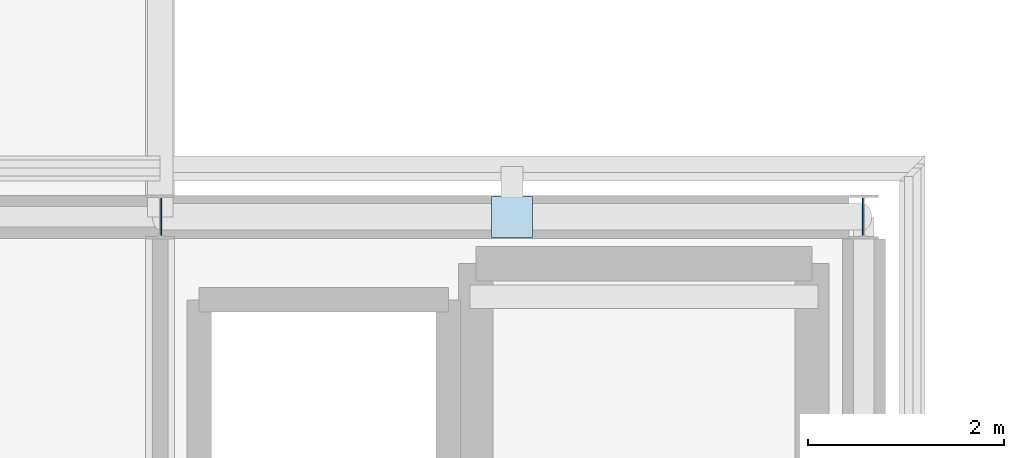
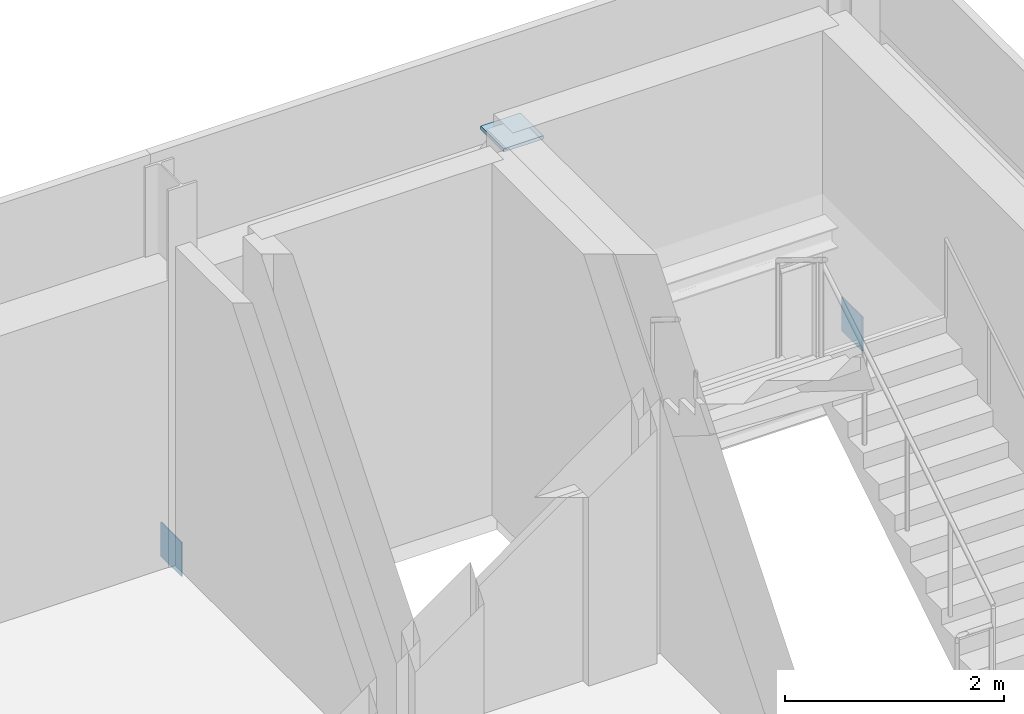
# One storey, part 62 of 115: 3 plates.
"""IFC4 building model written with IfcOpenShell, lengths in metres."""

import ifcopenshell
import ifcopenshell.guid

model = None  # the IFC model being written
_history = None  # IfcOwnerHistory: only IFC2X3 demands one
_inside = {}  # id of a spatial element -> (the spatial element, [elements in it])
_under = {}  # id of a project, library or spatial element -> (it, [spatial elements below it])
_declared = {}  # id of a project -> (the project, [libraries it declares])
_typed = {}  # id of a type object -> (the type object, [elements of that type])
_made_of = {}  # id of a material, layer set ... -> (it, [elements and type objects made of it])


def new_model(schema):
    """Start an empty IFC model of exactly this schema.

    Asked for "IFC4X3", IfcOpenShell would pick the latest addendum, in which some entities
    have other attributes; the version numbers below select the first issue.
    IFC2X3 requires an IfcOwnerHistory on every rooted entity: one is made here for all.
    """
    global model, _history
    if schema == "IFC4X3":
        model = ifcopenshell.file(schema_version=(4, 3, 0, 0))
    else:
        model = ifcopenshell.file(schema=schema)
    _inside.clear()
    _under.clear()
    _declared.clear()
    _typed.clear()
    _made_of.clear()
    _history = None
    if model.schema == "IFC2X3":
        org = make("IfcOrganization", Name="unknown")
        user = make(
            "IfcPersonAndOrganization",
            ThePerson=make("IfcPerson", FamilyName="unknown"),
            TheOrganization=org,
        )
        app = make(
            "IfcApplication",
            ApplicationDeveloper=org,
            Version="unknown",
            ApplicationFullName="unknown",
            ApplicationIdentifier="unknown",
        )
        _history = make(
            "IfcOwnerHistory",
            OwningUser=user,
            OwningApplication=app,
            ChangeAction="ADDED",
            CreationDate=0,
        )
    return model


def make(cls, **values):
    """One entity of the class cls with the attributes given. An attribute that is None is left unset."""
    return model.create_entity(
        cls, **{name: value for name, value in values.items() if value is not None}
    )


def rooted(cls, **values):
    """An entity with a GlobalId (a new one), such as an element, a storey or a relation."""
    return make(cls, GlobalId=ifcopenshell.guid.new(), OwnerHistory=_history, **values)


def si_unit(unit_type, name, prefix=None):
    """IfcSIUnit, for example si_unit("LENGTHUNIT", "METRE", prefix="MILLI")."""
    return make("IfcSIUnit", UnitType=unit_type, Prefix=prefix, Name=name)


def assignment(units):
    """IfcUnitAssignment: the units of a project."""
    return None if units is None else make("IfcUnitAssignment", Units=units)


def point(xyz):
    """IfcCartesianPoint."""
    return None if xyz is None else make("IfcCartesianPoint", Coordinates=xyz)


def direction(xyz):
    """IfcDirection."""
    return None if xyz is None else make("IfcDirection", DirectionRatios=xyz)


def frame(location, z_axis=None, x_axis=None):
    """IfcAxis2Placement3D, a coordinate frame: its origin and axes. An axis left out is left unset."""
    return make(
        "IfcAxis2Placement3D",
        Location=point(location),
        Axis=direction(z_axis),
        RefDirection=direction(x_axis),
    )


def frame_2d(location, x_axis=None):
    """IfcAxis2Placement2D, a coordinate frame in the plane: its origin and x axis."""
    return make(
        "IfcAxis2Placement2D", Location=point(location), RefDirection=direction(x_axis)
    )


def origin():
    """The frame at (0, 0, 0) with its axes left unset."""
    return frame((0.0, 0.0, 0.0))


def origin_2d():
    """The frame at (0, 0) in the plane with its x axis left unset."""
    return frame_2d((0.0, 0.0))


def place(relative_to, where):
    """IfcLocalPlacement: puts the frame where relative to a parent placement (None: the world)."""
    return make(
        "IfcLocalPlacement", PlacementRelTo=relative_to, RelativePlacement=where
    )


def context(
    kind, dimensions, precision=None, world=None, true_north=None, identifier=None
):
    """IfcGeometricRepresentationContext, for example the 3D "Model" context."""
    return make(
        "IfcGeometricRepresentationContext",
        ContextIdentifier=identifier,
        ContextType=kind,
        CoordinateSpaceDimension=dimensions,
        Precision=precision,
        WorldCoordinateSystem=world,
        TrueNorth=true_north,
    )


def subcontext(parent, identifier, kind, view, scale=None):
    """IfcGeometricRepresentationSubContext, for example "Body" below "Model"."""
    return make(
        "IfcGeometricRepresentationSubContext",
        ContextIdentifier=identifier,
        ContextType=kind,
        ParentContext=parent,
        TargetScale=scale,
        TargetView=view,
    )


def project(units=None, contexts=None):
    """IfcProject with its units and contexts."""
    return rooted(
        "IfcProject",
        Name="project",
        RepresentationContexts=contexts,
        UnitsInContext=assignment(units),
    )


def spatial(cls, under=None, at=None, **own):
    """A site, building, storey or space (cls), placed at a placement, below another one or the project."""
    s = rooted(cls, ObjectPlacement=at, **own)
    if under is not None:
        _under.setdefault(under.id(), (under, []))[1].append(s)
    return s


def profile(cls, at=None, kind="AREA", **sizes):
    """A parametric profile (cls). Its sizes go by their IFC names, for example OverallWidth=200.0."""
    return make(cls, ProfileType=kind, Position=at, **sizes)


def rectangle(**sizes):
    """IfcRectangleProfileDef."""
    return profile("IfcRectangleProfileDef", **sizes)


def extrude(swept, where, along, depth):
    """IfcExtrudedAreaSolid: the profile swept, set in the frame where, extruded along a direction by depth."""
    return make(
        "IfcExtrudedAreaSolid",
        SweptArea=swept,
        Position=where,
        ExtrudedDirection=direction(along),
        Depth=depth,
    )


def shape(context_of_items, identifier, shape_type, items):
    """IfcShapeRepresentation: the items that make up one representation, for example the "Body"."""
    return make(
        "IfcShapeRepresentation",
        ContextOfItems=context_of_items,
        RepresentationIdentifier=identifier,
        RepresentationType=shape_type,
        Items=items,
    )


def material(Name=None, Category=None):
    """IfcMaterial."""
    return make("IfcMaterial", Name=Name, Category=Category)


def layer(
    of_material, thickness, ventilated=None, Name=None, Category=None, Priority=None
):
    """IfcMaterialLayer: one layer of a wall or slab, of a material (None: an air gap)."""
    return make(
        "IfcMaterialLayer",
        Material=of_material,
        LayerThickness=thickness,
        IsVentilated=ventilated,
        Name=Name,
        Category=Category,
        Priority=Priority,
    )


def layer_set(layers, Name=None):
    """IfcMaterialLayerSet."""
    return make("IfcMaterialLayerSet", MaterialLayers=layers, LayerSetName=Name)


def made_of(thing, what):
    """Note that an element or type object is made of a material, layer set ...; save() writes the relation."""
    if what is not None:
        _made_of.setdefault(what.id(), (what, []))[1].append(thing)
    return thing


def type_object(cls, material=None, **own):
    """A type object (cls), such as IfcWallType, which elements share."""
    return made_of(rooted(cls, **own), material)


def element(
    cls,
    number,
    at=None,
    inside=None,
    cuts=None,
    type_object=None,
    material=None,
    context=None,
    identifier="Body",
    shape_type=None,
    held_by="IfcProductDefinitionShape",
    body=None,
    shapes=None,
    **own,
):
    """One element of the class cls, such as IfcWall. Its Tag is "e" and its number.

    at: its placement. inside: the storey or other place that contains it. cuts: it is an
    opening in that element (IfcRelVoidsElement). A single representation is given by context,
    identifier, shape_type and body (its items); several are given by shapes. held_by: the class
    of the entity that holds the representations. save() writes the other relations.
    """
    e = rooted(cls, Tag="e%d" % number, ObjectPlacement=at, **own)
    if body is not None:
        shapes = [shape(context, identifier, shape_type, body)]
    if shapes is not None:
        e.Representation = make(held_by, Representations=shapes)
    if inside is not None:
        _inside.setdefault(inside.id(), (inside, []))[1].append(e)
    if cuts is not None:
        rooted(
            "IfcRelVoidsElement", RelatingBuildingElement=cuts, RelatedOpeningElement=e
        )
    if type_object is not None:
        _typed.setdefault(type_object.id(), (type_object, []))[1].append(e)
    return made_of(e, material)


def aggregate(whole, parts):
    """IfcRelAggregates: a whole, such as a stair, and the parts it consists of."""
    return rooted("IfcRelAggregates", RelatingObject=whole, RelatedObjects=parts)


def save(model, path):
    """Write the relations noted so far, then the file.

    IfcRelAggregates (storeys below a building ...), IfcRelContainedInSpatialStructure (elements
    in a storey), IfcRelDefinesByType, IfcRelAssociatesMaterial and IfcRelDeclares: one each for
    every whole, place, type object, material and project.
    """
    for whole, parts in _under.values():
        aggregate(whole, parts)
    for where, things in _inside.values():
        rooted(
            "IfcRelContainedInSpatialStructure",
            RelatedElements=things,
            RelatingStructure=where,
        )
    for kind, things in _typed.values():
        rooted("IfcRelDefinesByType", RelatedObjects=things, RelatingType=kind)
    for what, things in _made_of.values():
        rooted("IfcRelAssociatesMaterial", RelatedObjects=things, RelatingMaterial=what)
    for by, libraries in _declared.values():
        rooted("IfcRelDeclares", RelatingContext=by, RelatedDefinitions=libraries)
    model.write(path)


model = new_model("IFC4")

# Units and contexts
model_context = context("Model", 3, precision=1e-05, world=origin(), true_north=direction((0.0, 1.0)))
body_context = subcontext(model_context, "Body", "Model", "MODEL_VIEW")
ifc_project = project(units=[si_unit("LENGTHUNIT", "METRE"), si_unit("AREAUNIT", "SQUARE_METRE"), si_unit("VOLUMEUNIT", "CUBIC_METRE"), si_unit("PLANEANGLEUNIT", "RADIAN"), si_unit("MASSUNIT", "GRAM", prefix="KILO")], contexts=[model_context])

# Site, building, storey
site_placement = place(None, origin())
site = spatial("IfcSite", under=ifc_project, at=site_placement, CompositionType="ELEMENT")
building_placement = place(site_placement, origin())
building = spatial("IfcBuilding", under=site, at=building_placement, Name="Narikvali Park Central Library", CompositionType="ELEMENT")
storey_placement = place(building_placement, frame((0.0, 0.0, 10.199951171875)))
storey = spatial("IfcBuildingStorey", under=building, at=storey_placement, Name="L02", CompositionType="ELEMENT", Elevation=10.199951171875)

# Plates
ifc_material = material(Name="Steel S355", Category="steel")
ifc_layer_1 = layer(ifc_material, 0.013916015625, Name="Steel S355")
ifc_layer_set_1 = layer_set([ifc_layer_1], Name="Steel S355")
plate_type_1 = type_object("IfcPlateType", Name="Steel Hollow End Cap Plate 14", PredefinedType="SHEET", material=ifc_layer_set_1)
for number, where, z_axis, x_axis, name in (
    (1, (93.612060546875, 93.60009765625, -0.177490234375), (0.0, 0.0, 1.0), (-1.0, 0.0, 0.0), "Hollow Section Steel End Cap BR-ECAP-4-L02-A0"),
    (2, (100.787841796875, 93.60009765625, -0.177490234375), (0.0, 0.0, 1.0), (1.0, 0.0, 0.0), "Hollow Section Steel End Cap BR-ECAP-4-L02-B0"),
):
    element("IfcPlate", number, at=place(storey_placement, frame(where, z_axis=z_axis, x_axis=x_axis)), inside=storey, type_object=plate_type_1, Name=name, PredefinedType="SHEET", context=body_context, shape_type="SweptSolid", body=[
        extrude(rectangle(XDim=0.013916015625, YDim=0.3798828125, at=origin_2d()), origin(), (0.0, 0.0, 1.0), 0.3798828125),
    ])
ifc_layer_2 = layer(ifc_material, 0.0380859375, Name="Steel S355")
ifc_layer_set_2 = layer_set([ifc_layer_2], Name="Steel S355")
plate_type_2 = type_object("IfcPlateType", Name="Truss Splice Gusset Plate 38", PredefinedType="SHEET", material=ifc_layer_set_2)
plate_placement = place(storey_placement, frame((97.199951171875, 93.60009765625, 3.381103515625), z_axis=(0.0, 0.0, 1.0), x_axis=(1.0, 0.0, 0.0)))
element("IfcPlate", 3, at=plate_placement, inside=storey, type_object=plate_type_2, Name="V1 L02 Chevron Apex Gusset Cap Plate", PredefinedType="SHEET", context=body_context, shape_type="SweptSolid", body=[
    extrude(rectangle(XDim=0.419921875, YDim=0.419921875, at=origin_2d()), origin(), (0.0, 0.0, 1.0), 0.0380859375),
])

save(model, "model.ifc")
